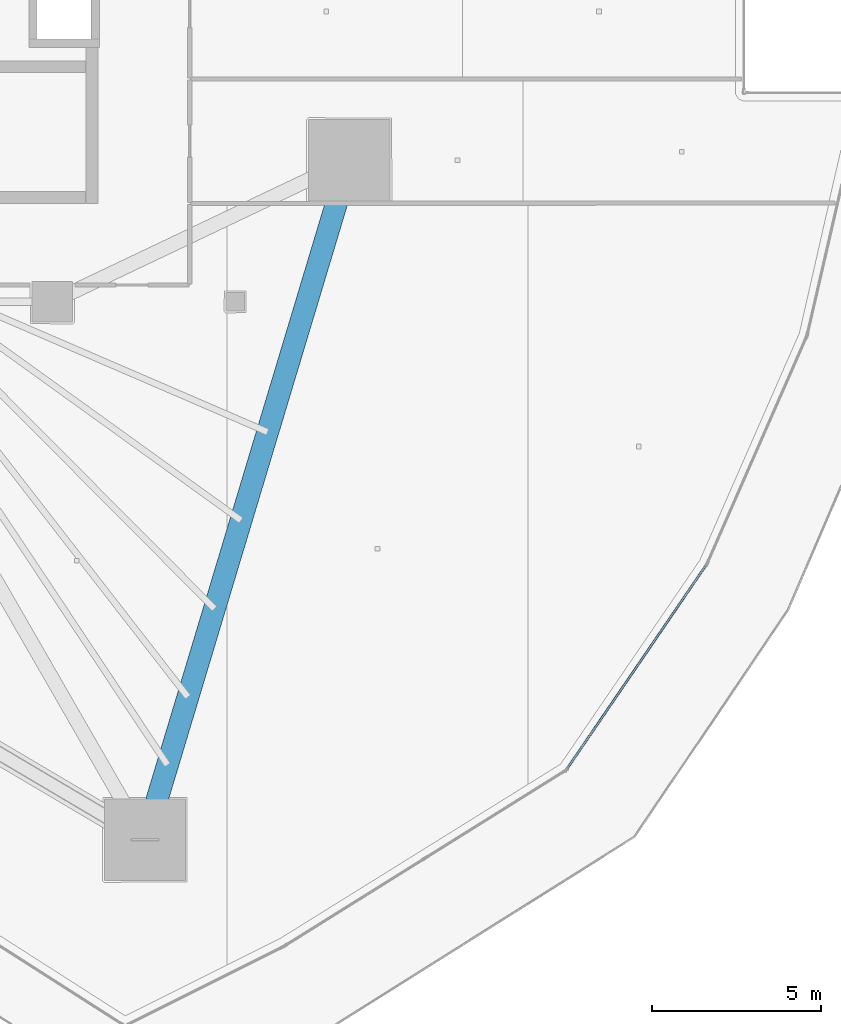
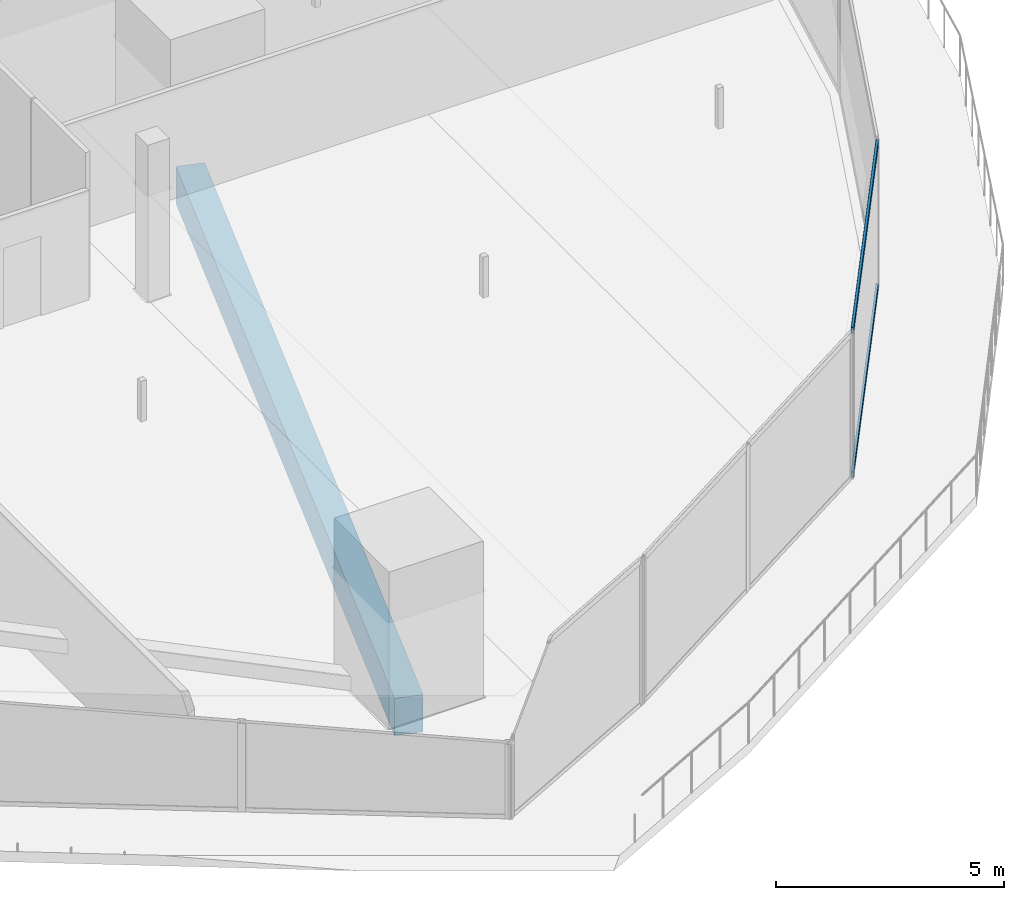
# One storey, part 12 of 52: 2 members, 1 beam, 1 element without a shape of its own.
"""IFC4 building model written with IfcOpenShell, lengths in metres."""

from ifc_helpers import new_model, si_unit, direction, frame, origin, origin_2d, place, context, subcontext, project, spatial, rectangle, hollow_rectangle, extrude, material, layer, layer_set, material_profile, profile_set, type_object, element, aggregate, save


model = new_model("IFC4")

# Units and contexts
model_context = context("Model", 3, precision=1e-05, world=origin(), true_north=direction((0.0, 1.0)))
body_context = subcontext(model_context, "Body", "Model", "MODEL_VIEW")
ifc_project = project(units=[si_unit("LENGTHUNIT", "METRE"), si_unit("AREAUNIT", "SQUARE_METRE"), si_unit("VOLUMEUNIT", "CUBIC_METRE"), si_unit("PLANEANGLEUNIT", "RADIAN"), si_unit("MASSUNIT", "GRAM", prefix="KILO")], contexts=[model_context])

# Site, building, storey
site_placement = place(None, origin())
site = spatial("IfcSite", under=ifc_project, at=site_placement, CompositionType="ELEMENT")
building_placement = place(site_placement, origin())
building = spatial("IfcBuilding", under=site, at=building_placement, Name="Qorvath Tower", CompositionType="ELEMENT")
storey_placement = place(building_placement, frame((0.0, 0.0, 61.800048828125)))
storey = spatial("IfcBuildingStorey", under=building, at=storey_placement, Name="L13", CompositionType="ELEMENT", Elevation=61.800048828125)

# Beam
ifc_material_1 = material(Name="Concrete C50/60", Category="concrete")
ifc_material_profile_1 = material_profile(ifc_material_1, rectangle(XDim=0.64990234375, YDim=1.0, at=origin_2d()), Name="RCB 1000x650")
ifc_profile_set_1 = profile_set([ifc_material_profile_1], Name="Concrete C50/60")
beam_type = type_object("IfcBeamType", Name="BM-RCB1", PredefinedType="SPANDREL", material=ifc_profile_set_1)
beam_placement = place(storey_placement, frame((-14.46435546875, -27.330810546875, -0.780029296875), z_axis=(0.288118908799, 0.957594639914, 0.0), x_axis=(-0.957594639914, 0.288118908799, 0.0)))
element("IfcBeam", 1, at=beam_placement, inside=storey, type_object=beam_type, Name="Perimeter Loggia Frame Beam MC3-MC4 L13", PredefinedType="SPANDREL", context=body_context, shape_type="SweptSolid", body=[
    extrude(rectangle(XDim=0.64990234375, YDim=1.0, at=origin_2d()), origin(), (0.0, 0.0, 1.0), 20.942626953125),
])

# Curtain wall, members
ifc_material_2 = material(Name="Anodised aluminium and triple low-E glass", Category="aluminium")
ifc_layer = layer(ifc_material_2, 0.179931640625)
ifc_layer_set = layer_set([ifc_layer], Name="CW-SYS-2")
curtain_wall_type = type_object("IfcCurtainWallType", Name="CW-SYS-2", PredefinedType="NOTDEFINED", material=ifc_layer_set)
curtain_wall_placement = place(storey_placement, origin())
curtain_wall = element("IfcCurtainWall", 2, at=curtain_wall_placement, inside=storey, type_object=curtain_wall_type, Name="Curtain Wall CW-2 CW-T-L13-5.1", PredefinedType="NOTDEFINED")
ifc_material_3 = material(Name="Anodised aluminium 6063-T6", Category="aluminium")
ifc_material_profile_2 = material_profile(ifc_material_3, hollow_rectangle(XDim=0.06494140625, YDim=0.159912109375, WallThickness=0.00341796875, InnerFilletRadius=0.00341796875, OuterFilletRadius=0.007080078125, at=origin_2d()), Name="CWT 160x65")
ifc_profile_set_2 = profile_set([ifc_material_profile_2], Name="Anodised aluminium 6063-T6")
member_type = type_object("IfcMemberType", Name="CWT-160", PredefinedType="USERDEFINED", material=ifc_profile_set_2)
member_1_placement = place(storey_placement, frame((-1.99365234375, -25.22021484375, 0.032470703125), z_axis=(0.563963891328, 0.825799448582, 0.0), x_axis=(-0.825799448582, 0.563963891328, 0.0)))
member_1 = element("IfcMember", 3, at=member_1_placement, type_object=member_type, Name="CW-2 transom 1.1", ObjectType="TRANSOM", PredefinedType="USERDEFINED", context=body_context, shape_type="SweptSolid", body=[
    extrude(hollow_rectangle(XDim=0.06494140625, YDim=0.159912109375, WallThickness=0.00341796875, InnerFilletRadius=0.00341796875, OuterFilletRadius=0.007080078125, at=origin_2d()), origin(), (0.0, 0.0, 1.0), 7.234619140625),
])
member_2_placement = place(storey_placement, frame((-1.99365234375, -25.22021484375, 3.887451171875), z_axis=(0.563963891328, 0.825799448582, 0.0), x_axis=(-0.825799448582, 0.563963891328, 0.0)))
member_2 = element("IfcMember", 4, at=member_2_placement, type_object=member_type, Name="CW-2 transom 1.2", ObjectType="TRANSOM", PredefinedType="USERDEFINED", context=body_context, shape_type="SweptSolid", body=[
    extrude(hollow_rectangle(XDim=0.06494140625, YDim=0.159912109375, WallThickness=0.00341796875, InnerFilletRadius=0.00341796875, OuterFilletRadius=0.007080078125, at=origin_2d()), origin(), (0.0, 0.0, 1.0), 7.234619140625),
])
aggregate(curtain_wall, [member_1, member_2])

save(model, "model.ifc")
